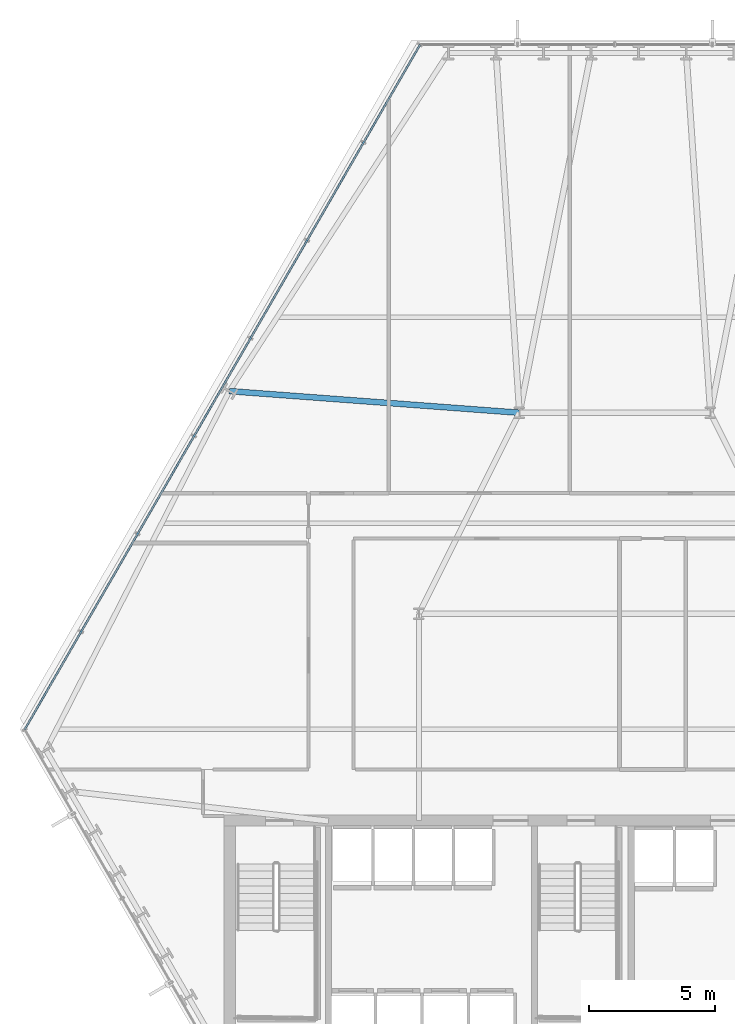
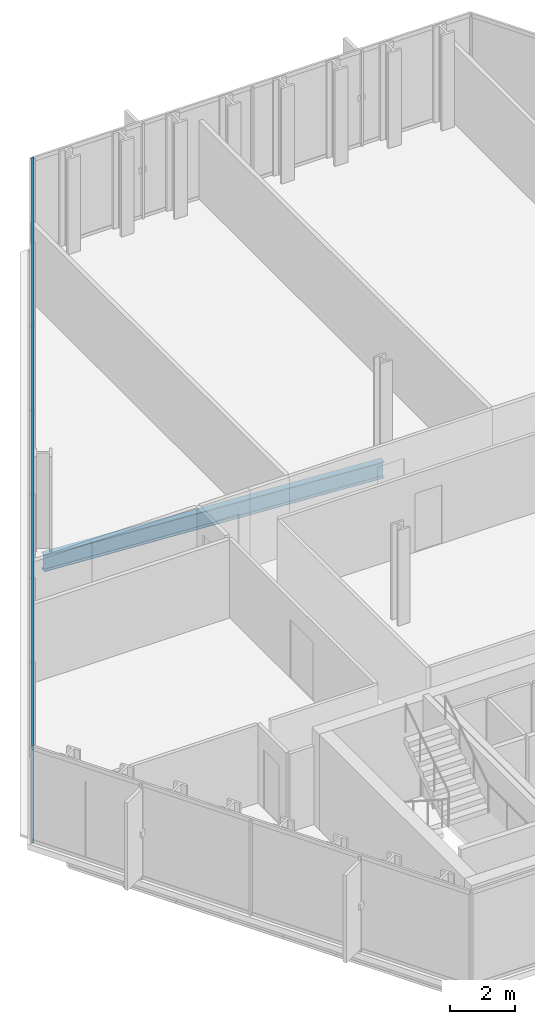
# One storey, part 12 of 32: 2 members, 1 beam, 1 element without a shape of its own.
"""IFC4 building model written with IfcOpenShell, lengths in metres."""

import ifcopenshell
import ifcopenshell.guid

model = None  # the IFC model being written
_history = None  # IfcOwnerHistory: only IFC2X3 demands one
_inside = {}  # id of a spatial element -> (the spatial element, [elements in it])
_under = {}  # id of a project, library or spatial element -> (it, [spatial elements below it])
_declared = {}  # id of a project -> (the project, [libraries it declares])
_typed = {}  # id of a type object -> (the type object, [elements of that type])
_made_of = {}  # id of a material, layer set ... -> (it, [elements and type objects made of it])


def new_model(schema):
    """Start an empty IFC model of exactly this schema.

    Asked for "IFC4X3", IfcOpenShell would pick the latest addendum, in which some entities
    have other attributes; the version numbers below select the first issue.
    IFC2X3 requires an IfcOwnerHistory on every rooted entity: one is made here for all.
    """
    global model, _history
    if schema == "IFC4X3":
        model = ifcopenshell.file(schema_version=(4, 3, 0, 0))
    else:
        model = ifcopenshell.file(schema=schema)
    _inside.clear()
    _under.clear()
    _declared.clear()
    _typed.clear()
    _made_of.clear()
    _history = None
    if model.schema == "IFC2X3":
        org = make("IfcOrganization", Name="unknown")
        user = make(
            "IfcPersonAndOrganization",
            ThePerson=make("IfcPerson", FamilyName="unknown"),
            TheOrganization=org,
        )
        app = make(
            "IfcApplication",
            ApplicationDeveloper=org,
            Version="unknown",
            ApplicationFullName="unknown",
            ApplicationIdentifier="unknown",
        )
        _history = make(
            "IfcOwnerHistory",
            OwningUser=user,
            OwningApplication=app,
            ChangeAction="ADDED",
            CreationDate=0,
        )
    return model


def make(cls, **values):
    """One entity of the class cls with the attributes given. An attribute that is None is left unset."""
    return model.create_entity(
        cls, **{name: value for name, value in values.items() if value is not None}
    )


def rooted(cls, **values):
    """An entity with a GlobalId (a new one), such as an element, a storey or a relation."""
    return make(cls, GlobalId=ifcopenshell.guid.new(), OwnerHistory=_history, **values)


def si_unit(unit_type, name, prefix=None):
    """IfcSIUnit, for example si_unit("LENGTHUNIT", "METRE", prefix="MILLI")."""
    return make("IfcSIUnit", UnitType=unit_type, Prefix=prefix, Name=name)


def assignment(units):
    """IfcUnitAssignment: the units of a project."""
    return None if units is None else make("IfcUnitAssignment", Units=units)


def point(xyz):
    """IfcCartesianPoint."""
    return None if xyz is None else make("IfcCartesianPoint", Coordinates=xyz)


def direction(xyz):
    """IfcDirection."""
    return None if xyz is None else make("IfcDirection", DirectionRatios=xyz)


def frame(location, z_axis=None, x_axis=None):
    """IfcAxis2Placement3D, a coordinate frame: its origin and axes. An axis left out is left unset."""
    return make(
        "IfcAxis2Placement3D",
        Location=point(location),
        Axis=direction(z_axis),
        RefDirection=direction(x_axis),
    )


def frame_2d(location, x_axis=None):
    """IfcAxis2Placement2D, a coordinate frame in the plane: its origin and x axis."""
    return make(
        "IfcAxis2Placement2D", Location=point(location), RefDirection=direction(x_axis)
    )


def origin():
    """The frame at (0, 0, 0) with its axes left unset."""
    return frame((0.0, 0.0, 0.0))


def origin_2d():
    """The frame at (0, 0) in the plane with its x axis left unset."""
    return frame_2d((0.0, 0.0))


def place(relative_to, where):
    """IfcLocalPlacement: puts the frame where relative to a parent placement (None: the world)."""
    return make(
        "IfcLocalPlacement", PlacementRelTo=relative_to, RelativePlacement=where
    )


def context(
    kind, dimensions, precision=None, world=None, true_north=None, identifier=None
):
    """IfcGeometricRepresentationContext, for example the 3D "Model" context."""
    return make(
        "IfcGeometricRepresentationContext",
        ContextIdentifier=identifier,
        ContextType=kind,
        CoordinateSpaceDimension=dimensions,
        Precision=precision,
        WorldCoordinateSystem=world,
        TrueNorth=true_north,
    )


def subcontext(parent, identifier, kind, view, scale=None):
    """IfcGeometricRepresentationSubContext, for example "Body" below "Model"."""
    return make(
        "IfcGeometricRepresentationSubContext",
        ContextIdentifier=identifier,
        ContextType=kind,
        ParentContext=parent,
        TargetScale=scale,
        TargetView=view,
    )


def project(units=None, contexts=None):
    """IfcProject with its units and contexts."""
    return rooted(
        "IfcProject",
        Name="project",
        RepresentationContexts=contexts,
        UnitsInContext=assignment(units),
    )


def spatial(cls, under=None, at=None, **own):
    """A site, building, storey or space (cls), placed at a placement, below another one or the project."""
    s = rooted(cls, ObjectPlacement=at, **own)
    if under is not None:
        _under.setdefault(under.id(), (under, []))[1].append(s)
    return s


def profile(cls, at=None, kind="AREA", **sizes):
    """A parametric profile (cls). Its sizes go by their IFC names, for example OverallWidth=200.0."""
    return make(cls, ProfileType=kind, Position=at, **sizes)


def hollow_rectangle(**sizes):
    """IfcRectangleHollowProfileDef."""
    return profile("IfcRectangleHollowProfileDef", **sizes)


def i_section(**sizes):
    """IfcIShapeProfileDef."""
    return profile("IfcIShapeProfileDef", **sizes)


def extrude(swept, where, along, depth):
    """IfcExtrudedAreaSolid: the profile swept, set in the frame where, extruded along a direction by depth."""
    return make(
        "IfcExtrudedAreaSolid",
        SweptArea=swept,
        Position=where,
        ExtrudedDirection=direction(along),
        Depth=depth,
    )


def shape(context_of_items, identifier, shape_type, items):
    """IfcShapeRepresentation: the items that make up one representation, for example the "Body"."""
    return make(
        "IfcShapeRepresentation",
        ContextOfItems=context_of_items,
        RepresentationIdentifier=identifier,
        RepresentationType=shape_type,
        Items=items,
    )


def material(Name=None, Category=None):
    """IfcMaterial."""
    return make("IfcMaterial", Name=Name, Category=Category)


def layer(
    of_material, thickness, ventilated=None, Name=None, Category=None, Priority=None
):
    """IfcMaterialLayer: one layer of a wall or slab, of a material (None: an air gap)."""
    return make(
        "IfcMaterialLayer",
        Material=of_material,
        LayerThickness=thickness,
        IsVentilated=ventilated,
        Name=Name,
        Category=Category,
        Priority=Priority,
    )


def layer_set(layers, Name=None):
    """IfcMaterialLayerSet."""
    return make("IfcMaterialLayerSet", MaterialLayers=layers, LayerSetName=Name)


def material_profile(
    of_material, cross_section, Name=None, Category=None, Priority=None
):
    """IfcMaterialProfile: a cross section and its material."""
    return make(
        "IfcMaterialProfile",
        Name=Name,
        Material=of_material,
        Profile=cross_section,
        Priority=Priority,
        Category=Category,
    )


def profile_set(profiles, Name=None, composite=None):
    """IfcMaterialProfileSet."""
    return make(
        "IfcMaterialProfileSet",
        Name=Name,
        MaterialProfiles=profiles,
        CompositeProfile=composite,
    )


def made_of(thing, what):
    """Note that an element or type object is made of a material, layer set ...; save() writes the relation."""
    if what is not None:
        _made_of.setdefault(what.id(), (what, []))[1].append(thing)
    return thing


def type_object(cls, material=None, **own):
    """A type object (cls), such as IfcWallType, which elements share."""
    return made_of(rooted(cls, **own), material)


def element(
    cls,
    number,
    at=None,
    inside=None,
    cuts=None,
    type_object=None,
    material=None,
    context=None,
    identifier="Body",
    shape_type=None,
    held_by="IfcProductDefinitionShape",
    body=None,
    shapes=None,
    **own,
):
    """One element of the class cls, such as IfcWall. Its Tag is "e" and its number.

    at: its placement. inside: the storey or other place that contains it. cuts: it is an
    opening in that element (IfcRelVoidsElement). A single representation is given by context,
    identifier, shape_type and body (its items); several are given by shapes. held_by: the class
    of the entity that holds the representations. save() writes the other relations.
    """
    e = rooted(cls, Tag="e%d" % number, ObjectPlacement=at, **own)
    if body is not None:
        shapes = [shape(context, identifier, shape_type, body)]
    if shapes is not None:
        e.Representation = make(held_by, Representations=shapes)
    if inside is not None:
        _inside.setdefault(inside.id(), (inside, []))[1].append(e)
    if cuts is not None:
        rooted(
            "IfcRelVoidsElement", RelatingBuildingElement=cuts, RelatedOpeningElement=e
        )
    if type_object is not None:
        _typed.setdefault(type_object.id(), (type_object, []))[1].append(e)
    return made_of(e, material)


def aggregate(whole, parts):
    """IfcRelAggregates: a whole, such as a stair, and the parts it consists of."""
    return rooted("IfcRelAggregates", RelatingObject=whole, RelatedObjects=parts)


def save(model, path):
    """Write the relations noted so far, then the file.

    IfcRelAggregates (storeys below a building ...), IfcRelContainedInSpatialStructure (elements
    in a storey), IfcRelDefinesByType, IfcRelAssociatesMaterial and IfcRelDeclares: one each for
    every whole, place, type object, material and project.
    """
    for whole, parts in _under.values():
        aggregate(whole, parts)
    for where, things in _inside.values():
        rooted(
            "IfcRelContainedInSpatialStructure",
            RelatedElements=things,
            RelatingStructure=where,
        )
    for kind, things in _typed.values():
        rooted("IfcRelDefinesByType", RelatedObjects=things, RelatingType=kind)
    for what, things in _made_of.values():
        rooted("IfcRelAssociatesMaterial", RelatedObjects=things, RelatingMaterial=what)
    for by, libraries in _declared.values():
        rooted("IfcRelDeclares", RelatingContext=by, RelatedDefinitions=libraries)
    model.write(path)


model = new_model("IFC4")

# Units and contexts
model_context = context("Model", 3, precision=1e-05, world=origin(), true_north=direction((0.0, 1.0)))
body_context = subcontext(model_context, "Body", "Model", "MODEL_VIEW")
ifc_project = project(units=[si_unit("LENGTHUNIT", "METRE"), si_unit("AREAUNIT", "SQUARE_METRE"), si_unit("VOLUMEUNIT", "CUBIC_METRE"), si_unit("PLANEANGLEUNIT", "RADIAN"), si_unit("MASSUNIT", "GRAM", prefix="KILO")], contexts=[model_context])

# Site, building, storey
site_placement = place(None, origin())
site = spatial("IfcSite", under=ifc_project, at=site_placement, CompositionType="ELEMENT")
building_placement = place(site_placement, origin())
building = spatial("IfcBuilding", under=site, at=building_placement, Name="Ndaravel Arena Tower", CompositionType="ELEMENT")
storey_placement = place(building_placement, frame((0.0, 0.0, 58.800048828125)))
storey = spatial("IfcBuildingStorey", under=building, at=storey_placement, Name="L12", CompositionType="ELEMENT", Elevation=58.800048828125)

# Beam
ifc_material_1 = material(Name="Steel S355", Category="steel")
ifc_material_profile_1 = material_profile(ifc_material_1, i_section(OverallWidth=0.230224609375, OverallDepth=0.6171875, WebThickness=0.01318359375, FlangeThickness=0.022216796875, FilletRadius=0.0126953125, at=origin_2d()), Name="UB 610x229x140")
ifc_profile_set_1 = profile_set([ifc_material_profile_1], Name="Steel S355")
beam_type = type_object("IfcBeamType", Name="BM-GIRD-UB610B", PredefinedType="BEAM", material=ifc_profile_set_1)
beam_placement = place(storey_placement, frame((26.653564453125, 32.060791015625, -0.528564453125), z_axis=(0.997232315228, -0.074348567334, 0.0), x_axis=(0.074348567334, 0.997232315228, 0.0)))
element("IfcBeam", 1, at=beam_placement, inside=storey, type_object=beam_type, Name="L12 Radial Floor Girder FG-19", PredefinedType="BEAM", context=body_context, shape_type="SweptSolid", body=[
    extrude(i_section(OverallWidth=0.230224609375, OverallDepth=0.6171875, WebThickness=0.01318359375, FlangeThickness=0.022216796875, FilletRadius=0.0126953125, at=origin_2d()), origin(), (0.0, 0.0, 1.0), 11.578369140625),
])

# Curtain wall, members
ifc_material_2 = material(Name="Aluminium", Category="aluminium")
ifc_layer = layer(ifc_material_2, 0.179931640625)
ifc_layer_set = layer_set([ifc_layer], Name="Aluminium")
curtain_wall_type = type_object("IfcCurtainWallType", Name="CW-SYS-03", PredefinedType="NOTDEFINED", material=ifc_layer_set)
curtain_wall_placement = place(storey_placement, origin())
curtain_wall = element("IfcCurtainWall", 2, at=curtain_wall_placement, inside=storey, type_object=curtain_wall_type, Name="L12 Faceted Crystal Curtain Wall CW-L12-E05", PredefinedType="NOTDEFINED")
ifc_material_3 = material(Name="Aluminium", Category="aluminium")
ifc_material_profile_2 = material_profile(ifc_material_3, hollow_rectangle(XDim=0.074951171875, YDim=0.14990234375, WallThickness=0.00390625, at=origin_2d()), Name="CW TRANSOM 75x150x4")
ifc_profile_set_2 = profile_set([ifc_material_profile_2], Name="Aluminium")
member_type = type_object("IfcMemberType", Name="MEM-CW-TRN150", PredefinedType="USERDEFINED", material=ifc_profile_set_2)
member_1_placement = place(storey_placement, frame((34.243896484375, 45.847900390625, 0.0400390625), z_axis=(-0.500001365865, -0.8660246152, 0.0), x_axis=(0.8660246152, -0.500001365865, 0.0)))
member_1 = element("IfcMember", 3, at=member_1_placement, type_object=member_type, Name="CW-L12-E05 Transom 01", ObjectType="TRANSOM", PredefinedType="USERDEFINED", context=body_context, shape_type="SweptSolid", body=[
    extrude(hollow_rectangle(XDim=0.074951171875, YDim=0.14990234375, WallThickness=0.00390625, at=origin_2d()), origin(), (0.0, 0.0, 1.0), 31.47021484375),
])
member_2_placement = place(storey_placement, frame((34.243896484375, 45.847900390625, 3.5400390625), z_axis=(-0.500001365865, -0.8660246152, 0.0), x_axis=(0.8660246152, -0.500001365865, 0.0)))
member_2 = element("IfcMember", 4, at=member_2_placement, type_object=member_type, Name="CW-L12-E05 Transom 02", ObjectType="TRANSOM", PredefinedType="USERDEFINED", context=body_context, shape_type="SweptSolid", body=[
    extrude(hollow_rectangle(XDim=0.074951171875, YDim=0.14990234375, WallThickness=0.00390625, at=origin_2d()), origin(), (0.0, 0.0, 1.0), 31.47021484375),
])
aggregate(curtain_wall, [member_1, member_2])

save(model, "model.ifc")
